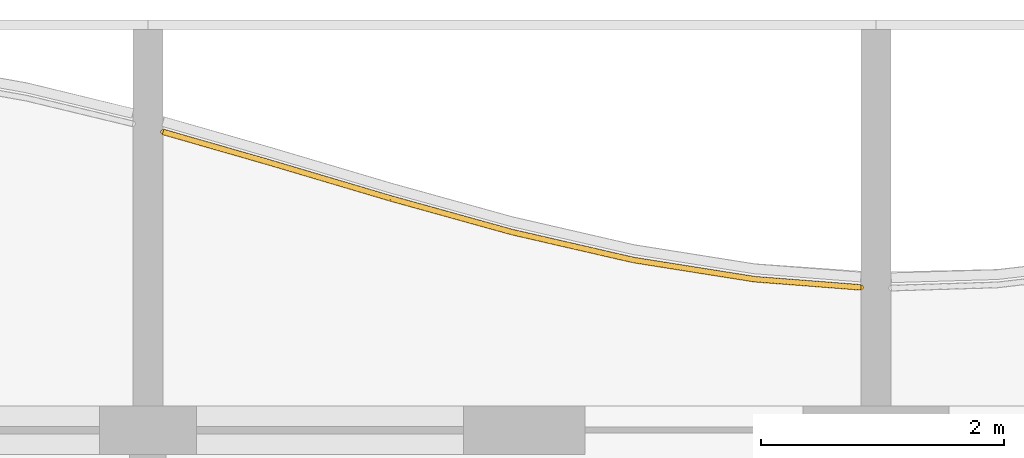
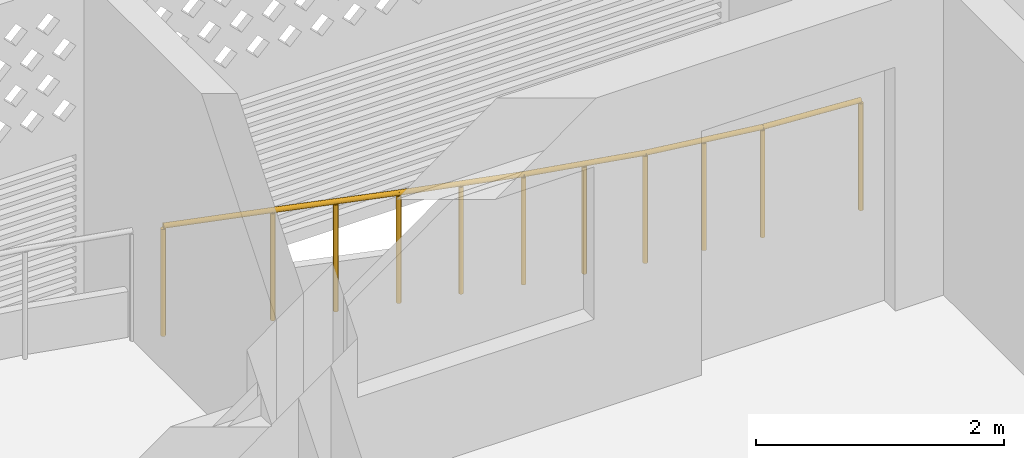
# One storey, part 22 of 33: 1 railing.
"""IFC4 building model written with IfcOpenShell, lengths in metres."""

from ifc_helpers import new_model, si_unit, direction, frame, origin, origin_2d, place, context, subcontext, project, spatial, circle, extrude, material, type_object, element, save


model = new_model("IFC4")

# Units and contexts
model_context = context("Model", 3, precision=1e-05, world=origin(), true_north=direction((0.0, 1.0)))
body_context = subcontext(model_context, "Body", "Model", "MODEL_VIEW")
ifc_project = project(units=[si_unit("LENGTHUNIT", "METRE"), si_unit("AREAUNIT", "SQUARE_METRE"), si_unit("VOLUMEUNIT", "CUBIC_METRE"), si_unit("PLANEANGLEUNIT", "RADIAN"), si_unit("MASSUNIT", "GRAM", prefix="KILO")], contexts=[model_context])

# Site, building, storey
site_placement = place(None, origin())
site = spatial("IfcSite", under=ifc_project, at=site_placement, CompositionType="ELEMENT")
building_placement = place(site_placement, origin())
building = spatial("IfcBuilding", under=site, at=building_placement, Name="Poui Terraces", CompositionType="ELEMENT")
storey_placement = place(building_placement, frame((0.0, 0.0, 132.300048828125)))
storey = spatial("IfcBuildingStorey", under=building, at=storey_placement, Name="L36", CompositionType="ELEMENT", Elevation=132.300048828125)

# Railing
ifc_material = material(Name="Painted steel fretwork", Category="steel")
railing_type = type_object("IfcRailingType", Name="BALCONY GUARD 1100", PredefinedType="GUARDRAIL", material=ifc_material)
railing_placement = place(storey_placement, frame((36.125, 44.857666015625, 0.0)))
element("IfcRailing", 1, at=railing_placement, inside=storey, type_object=railing_type, Name="BALCONY GUARD", PredefinedType="GUARDRAIL", context=body_context, shape_type="SweptSolid", body=[
    extrude(circle(Radius=0.02392578125, at=origin_2d()), frame((0.0, 0.0, 1.076171875), z_axis=(0.961168944086, -0.275960614806, 0.0), x_axis=(0.275960614806, 0.961168944086, 0.0)), (0.0, 0.0, 1.0), 0.910400390625),
    extrude(circle(Radius=0.02392578125, at=origin_2d()), frame((0.875, -0.251220703125, 1.076171875), z_axis=(0.958774495191, -0.284168026651, 0.0), x_axis=(0.284168026651, 0.958774495191, 0.0)), (0.0, 0.0, 1.0), 1.04296875),
    extrude(circle(Radius=0.02392578125, at=origin_2d()), frame((1.875, -0.547607421875, 1.076171875), z_axis=(0.963565078544, -0.267473997633, 0.0), x_axis=(0.267473997633, 0.963565078544, 0.0)), (0.0, 0.0, 1.0), 1.037841796875),
    extrude(circle(Radius=0.02392578125, at=origin_2d()), frame((2.875, -0.8251953125, 1.076171875), z_axis=(0.974559344395, -0.224129614849, 0.0), x_axis=(0.224129614849, 0.974559344395, 0.0)), (0.0, 0.0, 1.0), 1.026123046875),
    extrude(circle(Radius=0.02392578125, at=origin_2d()), frame((3.875, -1.05517578125, 1.076171875), z_axis=(0.9876787513, -0.156494997459, 0.0), x_axis=(0.156494997459, 0.9876787513, 0.0)), (0.0, 0.0, 1.0), 1.012451171875),
    extrude(circle(Radius=0.02392578125, at=origin_2d()), frame((4.875, -1.213623046875, 1.076171875), z_axis=(0.997047936125, -0.076781593295, 0.0), x_axis=(0.076781593295, 0.997047936125, 0.0)), (0.0, 0.0, 1.0), 0.877685546875),
    extrude(circle(Radius=0.02099609375, at=origin_2d()), origin(), (0.0, 0.0, 1.0), 1.052001953125),
    extrude(circle(Radius=0.02099609375, at=origin_2d()), frame((0.875, -0.251220703125, 0.0)), (0.0, 0.0, 1.0), 1.052001953125),
    extrude(circle(Radius=0.02099609375, at=origin_2d()), frame((1.375, -0.3994140625, 0.0)), (0.0, 0.0, 1.0), 1.052001953125),
    extrude(circle(Radius=0.02099609375, at=origin_2d()), frame((1.875, -0.547607421875, 0.0)), (0.0, 0.0, 1.0), 1.052001953125),
    extrude(circle(Radius=0.02099609375, at=origin_2d()), frame((2.375, -0.6865234375, 0.0)), (0.0, 0.0, 1.0), 1.052001953125),
    extrude(circle(Radius=0.02099609375, at=origin_2d()), frame((2.875, -0.8251953125, 0.0)), (0.0, 0.0, 1.0), 1.052001953125),
    extrude(circle(Radius=0.02099609375, at=origin_2d()), frame((3.375, -0.940185546875, 0.0)), (0.0, 0.0, 1.0), 1.052001953125),
    extrude(circle(Radius=0.02099609375, at=origin_2d()), frame((3.875, -1.05517578125, 0.0)), (0.0, 0.0, 1.0), 1.052001953125),
    extrude(circle(Radius=0.02099609375, at=origin_2d()), frame((4.375, -1.13427734375, 0.0)), (0.0, 0.0, 1.0), 1.052001953125),
    extrude(circle(Radius=0.02099609375, at=origin_2d()), frame((4.875, -1.213623046875, 0.0)), (0.0, 0.0, 1.0), 1.052001953125),
    extrude(circle(Radius=0.02099609375, at=origin_2d()), frame((5.75, -1.281005859375, 0.0)), (0.0, 0.0, 1.0), 1.052001953125),
])

save(model, "model.ifc")
